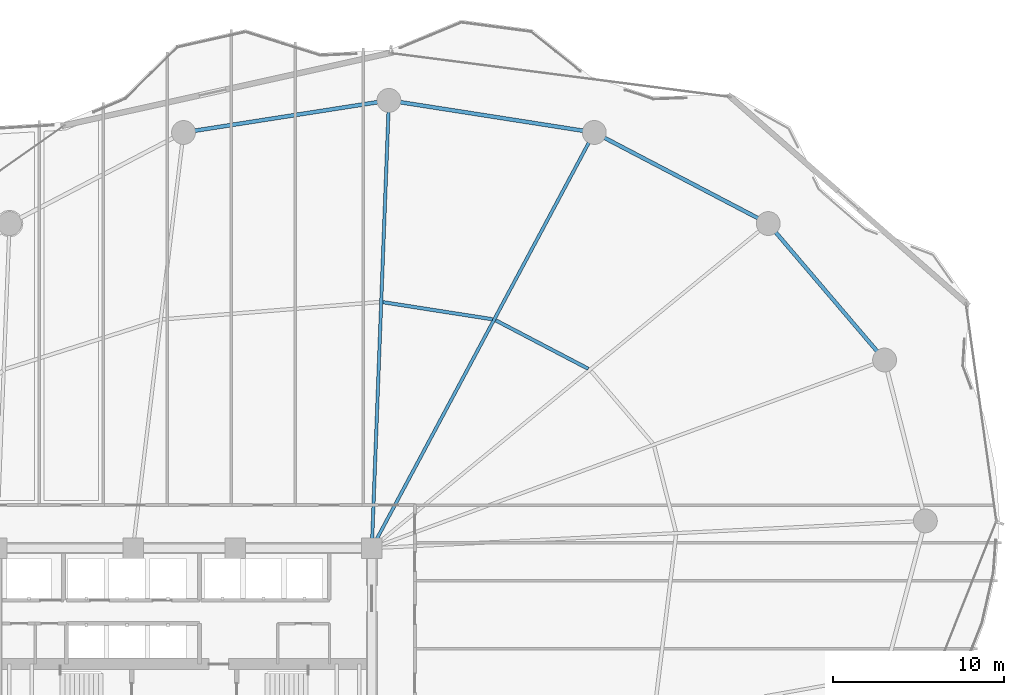
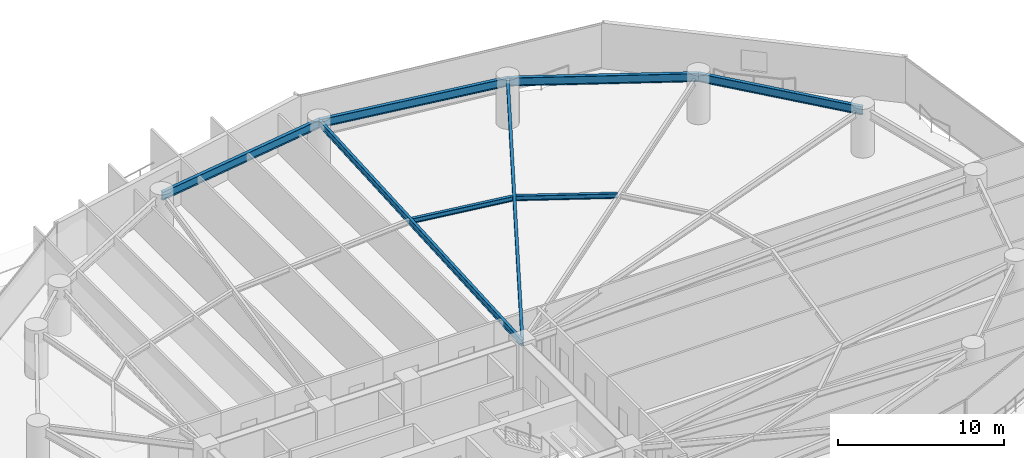
# One storey, part 18 of 32: 8 beams.
"""IFC4 building model written with IfcOpenShell, lengths in metres."""

from ifc_helpers import new_model, si_unit, direction, frame, origin, origin_2d, place, context, subcontext, project, spatial, i_section, extrude, material, material_profile, profile_set, type_object, element, save


model = new_model("IFC4")

# Units and contexts
model_context = context("Model", 3, precision=1e-05, world=origin(), true_north=direction((0.0, 1.0)))
body_context = subcontext(model_context, "Body", "Model", "MODEL_VIEW")
ifc_project = project(units=[si_unit("LENGTHUNIT", "METRE"), si_unit("AREAUNIT", "SQUARE_METRE"), si_unit("VOLUMEUNIT", "CUBIC_METRE"), si_unit("PLANEANGLEUNIT", "RADIAN"), si_unit("MASSUNIT", "GRAM", prefix="KILO")], contexts=[model_context])

# Site, building, storey
site_placement = place(None, origin())
site = spatial("IfcSite", under=ifc_project, at=site_placement, CompositionType="ELEMENT")
building_placement = place(site_placement, origin())
building = spatial("IfcBuilding", under=site, at=building_placement, Name="Kazevale Care Tower and Concert Hall", CompositionType="ELEMENT")
storey_placement = place(building_placement, frame((0.0, 0.0, 38.39990234375)))
storey = spatial("IfcBuildingStorey", under=building, at=storey_placement, Name="L09", CompositionType="ELEMENT", Elevation=38.39990234375)

# Beams
ifc_material = material(Name="Steel ASTM A572 Gr 50", Category="steel")
ifc_material_profile_1 = material_profile(ifc_material, i_section(OverallWidth=0.19091796875, OverallDepth=0.4599609375, WebThickness=0.010009765625, FlangeThickness=0.01611328125, at=origin_2d()), Name="W460x82")
ifc_profile_set_1 = profile_set([ifc_material_profile_1], Name="Steel ASTM A572 Gr 50")
beam_type_1 = type_object("IfcBeamType", Name="Radial Floor Beam W460x82", PredefinedType="BEAM", material=ifc_profile_set_1)
beam_1_placement = place(storey_placement, frame((44.0, 36.39990234375, 3.130126953125), z_axis=(0.471788966953, 0.88171150081, 0.0), x_axis=(-0.88171150081, 0.471788966953, 0.0)))
element("IfcBeam", 1, at=beam_1_placement, inside=storey, type_object=beam_type_1, Name="beam:L09:rad:04", PredefinedType="BEAM", context=body_context, shape_type="SweptSolid", body=[
    extrude(i_section(OverallWidth=0.19091796875, OverallDepth=0.4599609375, WebThickness=0.010009765625, FlangeThickness=0.01611328125, at=origin_2d()), origin(), (0.0, 0.0, 1.0), 27.6396484375),
])
beam_2_placement = place(storey_placement, frame((44.0, 36.39990234375, 3.130126953125), z_axis=(0.038067625343, 0.999275165258, 0.0), x_axis=(-0.999275165258, 0.038067625343, 0.0)))
element("IfcBeam", 2, at=beam_2_placement, inside=storey, type_object=beam_type_1, Name="beam:L09:rad:05", PredefinedType="BEAM", context=body_context, shape_type="SweptSolid", body=[
    extrude(i_section(OverallWidth=0.19091796875, OverallDepth=0.4599609375, WebThickness=0.010009765625, FlangeThickness=0.01611328125, at=origin_2d()), origin(), (0.0, 0.0, 1.0), 26.26904296875),
])
ifc_material_profile_2 = material_profile(ifc_material, i_section(OverallWidth=0.22900390625, OverallDepth=0.612060546875, WebThickness=0.011962890625, FlangeThickness=0.01953125, at=origin_2d()), Name="W610x125")
ifc_profile_set_2 = profile_set([ifc_material_profile_2], Name="Steel ASTM A572 Gr 50")
beam_type_2 = type_object("IfcBeamType", Name="Ring Spandrel Beam W610x125", PredefinedType="SPANDREL", material=ifc_profile_set_2)
beam_3_placement = place(storey_placement, frame((74.06005859375, 47.429931640625, 3.05419921875), z_axis=(-0.648756004283, 0.760996482848, 0.0), x_axis=(-0.760996482848, -0.648756004283, 0.0)))
element("IfcBeam", 3, at=beam_3_placement, inside=storey, type_object=beam_type_2, Name="beam:L09:ring:02", PredefinedType="SPANDREL", context=body_context, shape_type="SweptSolid", body=[
    extrude(i_section(OverallWidth=0.22900390625, OverallDepth=0.612060546875, WebThickness=0.011962890625, FlangeThickness=0.01953125, at=origin_2d()), origin(), (0.0, 0.0, 1.0), 10.512451171875),
])
beam_4_placement = place(storey_placement, frame((67.239990234375, 55.429931640625, 3.05419921875), z_axis=(-0.885929466679, 0.463819986708, 0.0), x_axis=(-0.463819986708, -0.885929466679, 0.0)))
element("IfcBeam", 4, at=beam_4_placement, inside=storey, type_object=beam_type_2, Name="beam:L09:ring:03", PredefinedType="SPANDREL", context=body_context, shape_type="SweptSolid", body=[
    extrude(i_section(OverallWidth=0.22900390625, OverallDepth=0.612060546875, WebThickness=0.011962890625, FlangeThickness=0.01953125, at=origin_2d()), origin(), (0.0, 0.0, 1.0), 11.51318359375),
])
for number, where, z_axis, x_axis, name in (
    (5, (57.0400390625, 60.77001953125, 3.05419921875), (-0.988029216561, 0.154266870134, 0.0), (-0.154266870134, -0.988029216561, 0.0), "beam:L09:ring:04"),
    (6, (45.0, 62.64990234375, 3.05419921875), (-0.988029216561, -0.154266870134, 0.0), (0.154266870134, -0.988029216561, 0.0), "beam:L09:ring:05"),
):
    element("IfcBeam", number, at=place(storey_placement, frame(where, z_axis=z_axis, x_axis=x_axis)), inside=storey, type_object=beam_type_2, Name=name, PredefinedType="SPANDREL", context=body_context, shape_type="SweptSolid", body=[
        extrude(i_section(OverallWidth=0.22900390625, OverallDepth=0.612060546875, WebThickness=0.011962890625, FlangeThickness=0.01953125, at=origin_2d()), origin(), (0.0, 0.0, 1.0), 12.18603515625),
    ])
ifc_material_profile_3 = material_profile(ifc_material, i_section(OverallWidth=0.205078125, OverallDepth=0.35400390625, WebThickness=0.009521484375, FlangeThickness=0.016845703125, at=origin_2d()), Name="W360x79")
ifc_profile_set_3 = profile_set([ifc_material_profile_3], Name="Steel ASTM A572 Gr 50")
beam_type_3 = type_object("IfcBeamType", Name="Secondary Floor Joist W360x79", PredefinedType="JOIST", material=ifc_profile_set_3)
beam_5_placement = place(storey_placement, frame((56.68896484375, 46.9150390625, 3.18310546875), z_axis=(-0.885921274797, 0.463835633454, 0.0), x_axis=(-0.463835633454, -0.885921274797, 0.0)))
element("IfcBeam", 7, at=beam_5_placement, inside=storey, type_object=beam_type_3, Name="beam:L09:joist:03", PredefinedType="JOIST", context=body_context, shape_type="SweptSolid", body=[
    extrude(i_section(OverallWidth=0.205078125, OverallDepth=0.35400390625, WebThickness=0.009521484375, FlangeThickness=0.016845703125, at=origin_2d()), origin(), (0.0, 0.0, 1.0), 6.12255859375),
])
beam_6_placement = place(storey_placement, frame((51.068115234375, 49.820068359375, 3.18310546875), z_axis=(-0.988040697826, 0.154193318403, 0.0), x_axis=(-0.154193318403, -0.988040697826, 0.0)))
element("IfcBeam", 8, at=beam_6_placement, inside=storey, type_object=beam_type_3, Name="beam:L09:joist:04", PredefinedType="JOIST", context=body_context, shape_type="SweptSolid", body=[
    extrude(i_section(OverallWidth=0.205078125, OverallDepth=0.35400390625, WebThickness=0.009521484375, FlangeThickness=0.016845703125, at=origin_2d()), origin(), (0.0, 0.0, 1.0), 6.49169921875),
])

save(model, "model.ifc")
